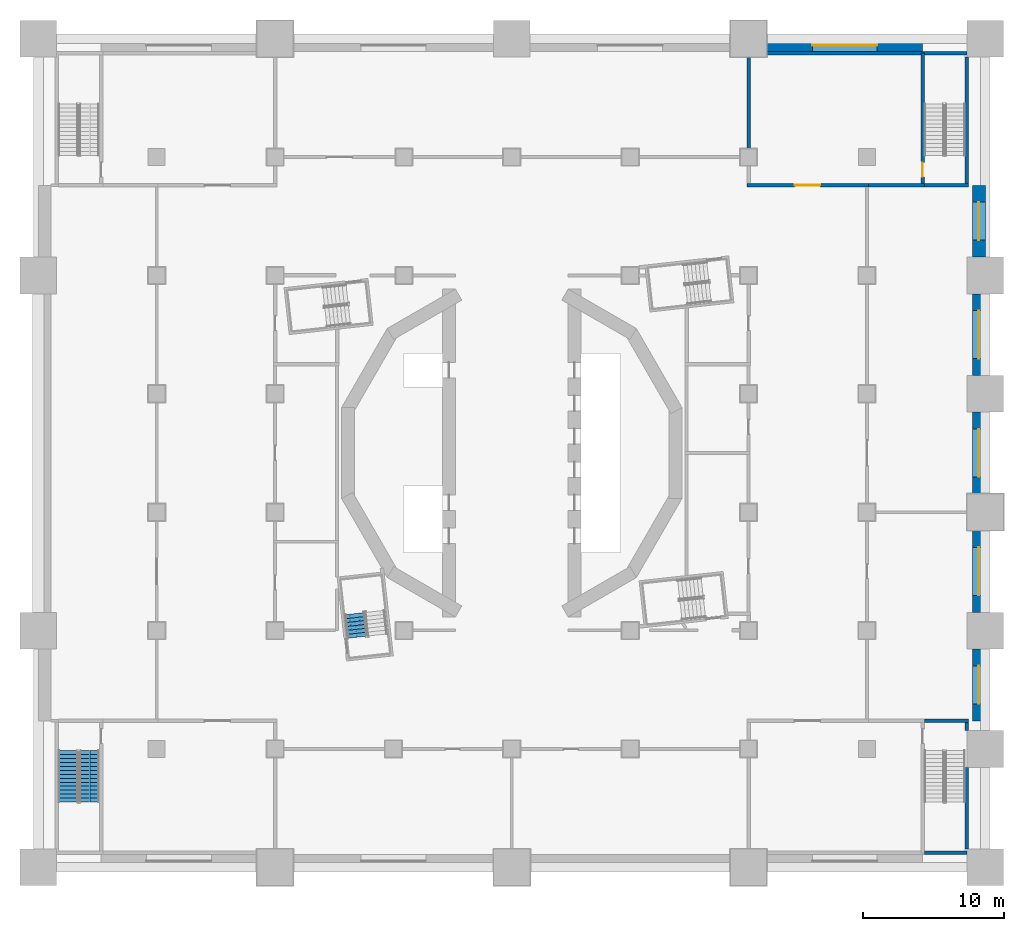
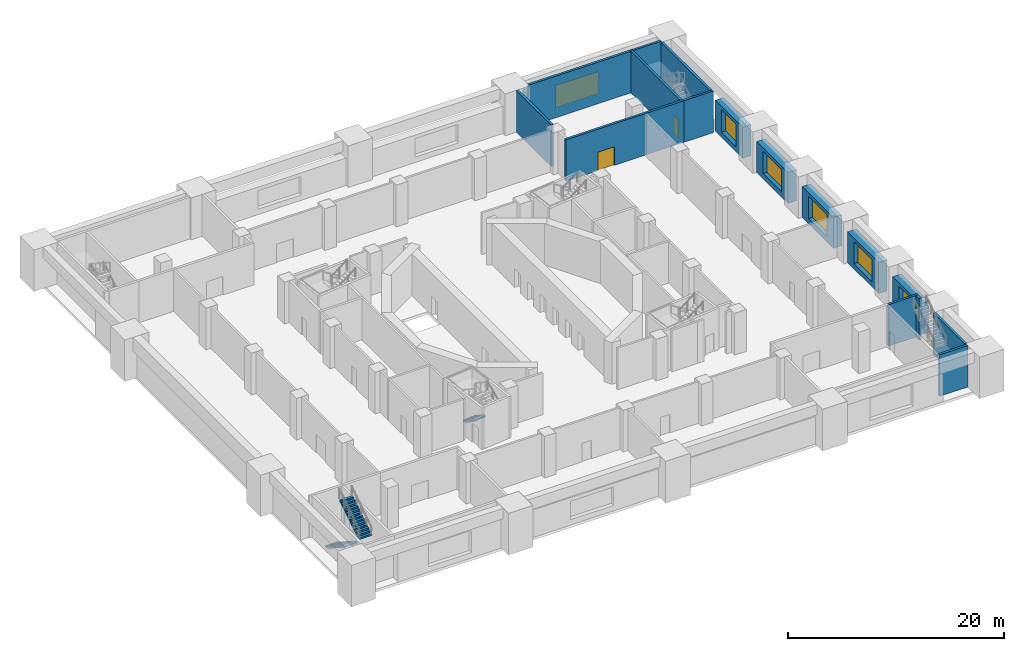
# One storey, part 5 of 17: 18 walls, 6 windows, 3 stair flights, 2 doors, 8 openings, 2 elements without a shape of their own.
"""IFC4 building model written with IfcOpenShell, lengths in metres."""

from ifc_helpers import new_model, si_unit, direction, frame, frame_2d, origin, place, context, subcontext, project, spatial, polyline, rectangle, outline, extrude, material, layer, layer_set, type_object, element, fill, aggregate, save


model = new_model("IFC4")

# Units and contexts
model_context = context("Model", 3, precision=1e-05, world=origin(), true_north=direction((0.0, 1.0)))
body_context = subcontext(model_context, "Body", "Model", "MODEL_VIEW")
ifc_project = project(units=[si_unit("LENGTHUNIT", "METRE"), si_unit("AREAUNIT", "SQUARE_METRE"), si_unit("VOLUMEUNIT", "CUBIC_METRE"), si_unit("PLANEANGLEUNIT", "RADIAN"), si_unit("MASSUNIT", "GRAM", prefix="KILO")], contexts=[model_context])

# Site, building, storey
site_placement = place(None, origin())
site = spatial("IfcSite", under=ifc_project, at=site_placement, CompositionType="ELEMENT")
building_placement = place(site_placement, origin())
building = spatial("IfcBuilding", under=site, at=building_placement, Name="Cantera Rosa Tower", CompositionType="ELEMENT")
storey_placement = place(building_placement, frame((0.0, 0.0, 27.0)))
storey = spatial("IfcBuildingStorey", under=building, at=storey_placement, Name="L04", CompositionType="ELEMENT", Elevation=27.0)

# Walls
ifc_material_1 = material(Name="Concrete C50/60", Category="concrete")
ifc_layer_1 = layer(ifc_material_1, 0.25)
ifc_layer_set_1 = layer_set([ifc_layer_1], Name="External stair wall 250")
wall_type_1 = type_object("IfcWallType", Name="External stair wall 250", PredefinedType="SOLIDWALL", material=ifc_layer_set_1)
for number, where, z_axis, x_axis, name in (
    (1, (29.27490234375, 28.375, 0.0), (0.0, 0.0, 1.0), (1.0, 0.0, 0.0), "Stair wall L04-51"),
    (2, (32.300048828125, -28.375, 0.0), (0.0, 0.0, 1.0), (-1.0, 0.0, 0.0), "Stair wall L04-75"),
):
    element("IfcWall", number, at=place(storey_placement, frame(where, z_axis=z_axis, x_axis=x_axis)), inside=storey, type_object=wall_type_1, Name=name, PredefinedType="SOLIDWALL", context=body_context, shape_type="SweptSolid", body=[
        extrude(rectangle(XDim=3.025146484375, YDim=0.25, at=frame_2d((1.5126953125, 0.0))), origin(), (0.0, 0.0, 1.0), 4.699951171875),
    ])
ifc_material_2 = material(Name="Masonry blockwork", Category="masonry")
ifc_layer_2 = layer(ifc_material_2, 0.25)
ifc_layer_set_2 = layer_set([ifc_layer_2], Name="Fire-rated external wall 250")
wall_type_2 = type_object("IfcWallType", Name="Fire-rated external wall 250", PredefinedType="PARTITIONING", material=ifc_layer_set_2)
wall_1_placement = place(storey_placement, frame((18.10009765625, 28.375, 0.0), z_axis=(0.0, 0.0, 1.0), x_axis=(1.0, 0.0, 0.0)))
element("IfcWall", 3, at=wall_1_placement, inside=storey, type_object=wall_type_2, Name="Fire wall L04-50", PredefinedType="PARTITIONING", context=body_context, shape_type="SweptSolid", body=[
    extrude(rectangle(XDim=11.1748046875, YDim=0.25, at=frame_2d((5.58740234375, 0.0))), origin(), (0.0, 0.0, 1.0), 4.699951171875),
])
ifc_material_3 = material(Name="Masonry blockwork", Category="masonry")
ifc_layer_3 = layer(ifc_material_3, 0.25)
ifc_layer_set_3 = layer_set([ifc_layer_3], Name="Fire-rated wall 250")
wall_type_3 = type_object("IfcWallType", Name="Fire-rated wall 250", PredefinedType="PARTITIONING", material=ifc_layer_set_3)
wall_2_placement = place(storey_placement, frame((16.800048828125, 21.60009765625, 0.0), z_axis=(0.0, 0.0, 1.0), x_axis=(0.0, 1.0, 0.0)))
element("IfcWall", 4, at=wall_2_placement, inside=storey, type_object=wall_type_3, Name="Fire wall L04-31", PredefinedType="PARTITIONING", context=body_context, shape_type="SweptSolid", body=[
    extrude(rectangle(XDim=6.5, YDim=0.25, at=frame_2d((3.25, 0.0))), origin(), (0.0, 0.0, 1.0), 4.699951171875),
])

# Wall, opening, door
wall_3_placement = place(storey_placement, frame((16.675048828125, 19.0, 0.0), z_axis=(0.0, 0.0, 1.0), x_axis=(1.0, 0.0, 0.0)))
wall_3 = element("IfcWall", 5, at=wall_3_placement, inside=storey, type_object=wall_type_3, Name="Fire wall L04-58", PredefinedType="PARTITIONING", context=body_context, shape_type="SweptSolid", body=[
    extrude(rectangle(XDim=8.625, YDim=0.25, at=frame_2d((4.3125, 0.0))), origin(), (0.0, 0.0, 1.0), 4.699951171875),
])
opening_1_placement = place(wall_3_placement, frame((3.41259765625, 0.0, 0.0)))
opening_1 = element("IfcOpeningElement", 6, at=opening_1_placement, cuts=wall_3, Name="Opening L04-013", PredefinedType="OPENING", context=body_context, shape_type="SweptSolid", body=[
    extrude(rectangle(XDim=1.800048828125, YDim=2.10009765625, at=frame_2d((0.89990234375, 1.050048828125))), frame((0.0, 0.135009765625, 0.0), z_axis=(0.0, -1.0, 0.0), x_axis=(1.0, 0.0, 0.0)), (0.0, 0.0, 1.0), 0.27001953125),
])
ifc_material_4 = material(Name="Steel S355J2 (EN 10025-2)", Category="steel")
door_type_1 = type_object("IfcDoorType", Name="Fire double door 1800x2100", OperationType="NOTDEFINED", PredefinedType="DOOR", material=ifc_material_4)
door_1_placement = place(opening_1_placement, origin())
door_1 = element("IfcDoor", 7, at=door_1_placement, inside=storey, type_object=door_type_1, Name="Door L04-013", OperationType="DOUBLE_DOOR_SINGLE_SWING", OverallHeight=2.10009765625, OverallWidth=1.800048828125, PredefinedType="DOOR", context=body_context, shape_type="SweptSolid", body=[
    extrude(rectangle(XDim=1.800048828125, YDim=2.10009765625, at=frame_2d((0.89990234375, 1.050048828125))), frame((0.0, 0.02490234375, 0.0), z_axis=(0.0, -1.0, 0.0), x_axis=(1.0, 0.0, 0.0)), (0.0, 0.0, 1.0), 0.050048828125),
])
fill(opening_1, door_1)

# Walls
wall_4_placement = place(storey_placement, frame((25.300048828125, 19.0, 0.0), z_axis=(0.0, 0.0, 1.0), x_axis=(1.0, 0.0, 0.0)))
element("IfcWall", 8, at=wall_4_placement, inside=storey, type_object=wall_type_3, Name="Fire wall L04-59", PredefinedType="PARTITIONING", context=body_context, shape_type="SweptSolid", body=[
    extrude(rectangle(XDim=3.974853515625, YDim=0.25, at=frame_2d((1.9873046875, 0.0))), origin(), (0.0, 0.0, 1.0), 4.699951171875),
])
ifc_material_5 = material(Name="Concrete C50/60", Category="concrete")
ifc_layer_4 = layer(ifc_material_5, 0.25)
ifc_layer_set_4 = layer_set([ifc_layer_4], Name="RC stair wall 250 C50/60")
wall_type_4 = type_object("IfcWallType", Name="RC stair wall 250", PredefinedType="SOLIDWALL", material=ifc_layer_set_4)
wall_5_placement = place(storey_placement, frame((32.300048828125, -28.10009765625, 0.0), z_axis=(0.0, 0.0, 1.0), x_axis=(0.0, 1.0, 0.0)))
element("IfcWall", 9, at=wall_5_placement, inside=storey, type_object=wall_type_4, Name="Stair wall L04-45", PredefinedType="SOLIDWALL", context=body_context, shape_type="SweptSolid", body=[
    extrude(rectangle(XDim=5.800048828125, YDim=0.25, at=frame_2d((2.89990234375, 0.0))), origin(), (0.0, 0.0, 1.0), 4.699951171875),
])
wall_6_placement = place(storey_placement, frame((32.300048828125, -19.699951171875, 0.0), z_axis=(0.0, 0.0, 1.0), x_axis=(0.0, 1.0, 0.0)))
element("IfcWall", 10, at=wall_6_placement, inside=storey, type_object=wall_type_4, Name="Stair wall L04-46", PredefinedType="SOLIDWALL", context=body_context, shape_type="SweptSolid", body=[
    extrude(rectangle(XDim=0.574951171875, YDim=0.25, at=frame_2d((0.28759765625, 0.0))), origin(), (0.0, 0.0, 1.0), 4.699951171875),
])
wall_7_placement = place(storey_placement, frame((32.300048828125, 19.125, 0.0), z_axis=(0.0, 0.0, 1.0), x_axis=(0.0, 1.0, 0.0)))
element("IfcWall", 11, at=wall_7_placement, inside=storey, type_object=wall_type_4, Name="Stair wall L04-47", PredefinedType="SOLIDWALL", context=body_context, shape_type="SweptSolid", body=[
    extrude(rectangle(XDim=8.97509765625, YDim=0.25, at=frame_2d((4.487548828125, 0.0))), origin(), (0.0, 0.0, 1.0), 4.699951171875),
])

# Wall, opening, door
wall_8_placement = place(storey_placement, frame((29.14990234375, 19.125, 0.0), z_axis=(0.0, 0.0, 1.0), x_axis=(0.0, 1.0, 0.0)))
wall_8 = element("IfcWall", 12, at=wall_8_placement, inside=storey, type_object=wall_type_4, Name="Stair wall L04-53", PredefinedType="SOLIDWALL", context=body_context, shape_type="SweptSolid", body=[
    extrude(rectangle(XDim=9.25, YDim=0.25, at=frame_2d((4.625, 0.0))), origin(), (0.0, 0.0, 1.0), 4.699951171875),
])
opening_2_placement = place(wall_8_placement, frame((0.47509765625, 0.0, 0.0)))
opening_2 = element("IfcOpeningElement", 13, at=opening_2_placement, cuts=wall_8, Name="Opening L04-014", PredefinedType="OPENING", context=body_context, shape_type="SweptSolid", body=[
    extrude(rectangle(XDim=1.0, YDim=2.10009765625, at=frame_2d((0.5, 1.050048828125))), frame((0.0, 0.135009765625, 0.0), z_axis=(0.0, -1.0, 0.0), x_axis=(1.0, 0.0, 0.0)), (0.0, 0.0, 1.0), 0.27001953125),
])
ifc_material_6 = material(Name="Steel S355J2 (EN 10025-2)", Category="steel")
door_type_2 = type_object("IfcDoorType", Name="Fire door 1000x2100 EI 120", OperationType="NOTDEFINED", PredefinedType="DOOR", material=ifc_material_6)
door_2_placement = place(opening_2_placement, origin())
door_2 = element("IfcDoor", 14, at=door_2_placement, inside=storey, type_object=door_type_2, Name="Door L04-014", OverallHeight=2.10009765625, OverallWidth=1.0, PredefinedType="DOOR", context=body_context, shape_type="SweptSolid", body=[
    extrude(rectangle(XDim=1.0, YDim=2.10009765625, at=frame_2d((0.5, 1.050048828125))), frame((0.0, 0.02490234375, 0.0), z_axis=(0.0, -1.0, 0.0), x_axis=(1.0, 0.0, 0.0)), (0.0, 0.0, 1.0), 0.050048828125),
])
fill(opening_2, door_2)

# Walls
for number, where, z_axis, x_axis, name in (
    (15, (29.27490234375, 19.0, 0.0), (0.0, 0.0, 1.0), (1.0, 0.0, 0.0), "Stair wall L04-60"),
    (16, (29.27490234375, -19.0, 0.0), (0.0, 0.0, 1.0), (1.0, 0.0, 0.0), "Stair wall L04-71"),
):
    element("IfcWall", number, at=place(storey_placement, frame(where, z_axis=z_axis, x_axis=x_axis)), inside=storey, type_object=wall_type_4, Name=name, PredefinedType="SOLIDWALL", context=body_context, shape_type="SweptSolid", body=[
        extrude(rectangle(XDim=3.150146484375, YDim=0.25, at=frame_2d((1.5751953125, 0.0))), origin(), (0.0, 0.0, 1.0), 4.699951171875),
    ])

# Wall, opening, window
ifc_material_7 = material(Name="Concrete C40/50 with limestone facing", Category="masonry")
ifc_layer_5 = layer(ifc_material_7, 0.89990234375)
ifc_layer_set_5 = layer_set([ifc_layer_5], Name="Stone podium wall 900")
wall_type_5 = type_object("IfcWallType", Name="Stone podium wall 900", PredefinedType="SOLIDWALL", material=ifc_layer_set_5)
wall_9_placement = place(storey_placement, frame((18.10009765625, 28.949951171875, 0.0), z_axis=(0.0, 0.0, 1.0), x_axis=(1.0, 0.0, 0.0)))
wall_9 = element("IfcWall", 17, at=wall_9_placement, inside=storey, type_object=wall_type_5, Name="Stone wall N L04-4", PredefinedType="SOLIDWALL", context=body_context, shape_type="SweptSolid", body=[
    extrude(rectangle(XDim=11.0498046875, YDim=0.89990234375, at=frame_2d((5.52490234375, 0.0))), origin(), (0.0, 0.0, 1.0), 3.5),
])
opening_3_placement = place(wall_9_placement, frame((3.22509765625, 0.0, 0.60009765625)))
opening_3 = element("IfcOpeningElement", 18, at=opening_3_placement, cuts=wall_9, Name="Opening L04-PWN4", PredefinedType="OPENING", context=body_context, shape_type="SweptSolid", body=[
    extrude(rectangle(XDim=4.60009765625, YDim=2.5, at=frame_2d((2.300048828125, 1.25))), frame((0.0, 0.4599609375, 0.0), z_axis=(0.0, -1.0, 0.0), x_axis=(1.0, 0.0, 0.0)), (0.0, 0.0, 1.0), 0.919921875),
])
ifc_material_8 = material(Name="Glass", Category="glass")
window_type_1 = type_object("IfcWindowType", Name="Podium window 4600x2500", PartitioningType="SINGLE_PANEL", PredefinedType="WINDOW", material=ifc_material_8)
window_1_placement = place(opening_3_placement, origin())
window_1 = element("IfcWindow", 19, at=window_1_placement, inside=storey, type_object=window_type_1, Name="Podium window L04-N4", OverallHeight=2.5, OverallWidth=4.60009765625, PartitioningType="SINGLE_PANEL", PredefinedType="WINDOW", context=body_context, shape_type="SweptSolid", body=[
    extrude(rectangle(XDim=4.60009765625, YDim=2.5, at=frame_2d((2.300048828125, 1.25))), frame((0.0, 0.030029296875, 0.0), z_axis=(0.0, -1.0, 0.0), x_axis=(1.0, 0.0, 0.0)), (0.0, 0.0, 1.0), 0.06005859375),
])
fill(opening_3, window_1)

wall_10_placement = place(storey_placement, frame((33.14990234375, -19.0, 0.0), z_axis=(0.0, 0.0, 1.0), x_axis=(0.0, 1.0, 0.0)))
wall_10 = element("IfcWall", 20, at=wall_10_placement, inside=storey, type_object=wall_type_5, Name="Stone wall E L04-1", PredefinedType="SOLIDWALL", context=body_context, shape_type="SweptSolid", body=[
    extrude(rectangle(XDim=5.10009765625, YDim=0.89990234375, at=frame_2d((2.550048828125, 0.0))), origin(), (0.0, 0.0, 1.0), 3.5),
])
opening_4_placement = place(wall_10_placement, frame((1.199951171875, 0.0, 0.60009765625)))
opening_4 = element("IfcOpeningElement", 21, at=opening_4_placement, cuts=wall_10, Name="Opening L04-PWE1", PredefinedType="OPENING", context=body_context, shape_type="SweptSolid", body=[
    extrude(rectangle(XDim=2.699951171875, YDim=2.5, at=frame_2d((1.35009765625, 1.25))), frame((0.0, 0.4599609375, 0.0), z_axis=(0.0, -1.0, 0.0), x_axis=(1.0, 0.0, 0.0)), (0.0, 0.0, 1.0), 0.919921875),
])
ifc_material_9 = material(Name="Glass", Category="glass")
window_type_2 = type_object("IfcWindowType", Name="Podium window 2700x2500", PartitioningType="SINGLE_PANEL", PredefinedType="WINDOW", material=ifc_material_9)
window_2_placement = place(opening_4_placement, origin())
window_2 = element("IfcWindow", 22, at=window_2_placement, inside=storey, type_object=window_type_2, Name="Podium window L04-E1", OverallHeight=2.5, OverallWidth=2.699951171875, PartitioningType="SINGLE_PANEL", PredefinedType="WINDOW", context=body_context, shape_type="SweptSolid", body=[
    extrude(rectangle(XDim=2.699951171875, YDim=2.5, at=frame_2d((1.35009765625, 1.25))), frame((0.0, 0.030029296875, 0.0), z_axis=(0.0, -1.0, 0.0), x_axis=(1.0, 0.0, 0.0)), (0.0, 0.0, 1.0), 0.06005859375),
])
fill(opening_4, window_2)

wall_11_placement = place(storey_placement, frame((33.14990234375, -11.300048828125, 0.0), z_axis=(0.0, 0.0, 1.0), x_axis=(0.0, 1.0, 0.0)))
wall_11 = element("IfcWall", 23, at=wall_11_placement, inside=storey, type_object=wall_type_5, Name="Stone wall E L04-2", PredefinedType="SOLIDWALL", context=body_context, shape_type="SweptSolid", body=[
    extrude(rectangle(XDim=5.800048828125, YDim=0.89990234375, at=frame_2d((2.89990234375, 0.0))), origin(), (0.0, 0.0, 1.0), 3.5),
])
opening_5_placement = place(wall_11_placement, frame((1.199951171875, 0.0, 0.60009765625)))
opening_5 = element("IfcOpeningElement", 24, at=opening_5_placement, cuts=wall_11, Name="Opening L04-PWE2", PredefinedType="OPENING", context=body_context, shape_type="SweptSolid", body=[
    extrude(rectangle(XDim=3.39990234375, YDim=2.5, at=frame_2d((1.699951171875, 1.25))), frame((0.0, 0.4599609375, 0.0), z_axis=(0.0, -1.0, 0.0), x_axis=(1.0, 0.0, 0.0)), (0.0, 0.0, 1.0), 0.919921875),
])
ifc_material_10 = material(Name="Glass", Category="glass")
window_type_3 = type_object("IfcWindowType", Name="Podium window 3400x2500", PartitioningType="SINGLE_PANEL", PredefinedType="WINDOW", material=ifc_material_10)
window_3_placement = place(opening_5_placement, origin())
window_3 = element("IfcWindow", 25, at=window_3_placement, inside=storey, type_object=window_type_3, Name="Podium window L04-E2", OverallHeight=2.5, OverallWidth=3.39990234375, PartitioningType="SINGLE_PANEL", PredefinedType="WINDOW", context=body_context, shape_type="SweptSolid", body=[
    extrude(rectangle(XDim=3.39990234375, YDim=2.5, at=frame_2d((1.699951171875, 1.25))), frame((0.0, 0.030029296875, 0.0), z_axis=(0.0, -1.0, 0.0), x_axis=(1.0, 0.0, 0.0)), (0.0, 0.0, 1.0), 0.06005859375),
])
fill(opening_5, window_3)

wall_12_placement = place(storey_placement, frame((33.14990234375, -2.89990234375, 0.0), z_axis=(0.0, 0.0, 1.0), x_axis=(0.0, 1.0, 0.0)))
wall_12 = element("IfcWall", 26, at=wall_12_placement, inside=storey, type_object=wall_type_5, Name="Stone wall E L04-3", PredefinedType="SOLIDWALL", context=body_context, shape_type="SweptSolid", body=[
    extrude(rectangle(XDim=5.7998046875, YDim=0.89990234375, at=frame_2d((2.89990234375, 0.0))), origin(), (0.0, 0.0, 1.0), 3.5),
])
opening_6_placement = place(wall_12_placement, frame((1.199951171875, 0.0, 0.60009765625)))
opening_6 = element("IfcOpeningElement", 27, at=opening_6_placement, cuts=wall_12, Name="Opening L04-PWE3", PredefinedType="OPENING", context=body_context, shape_type="SweptSolid", body=[
    extrude(rectangle(XDim=3.39990234375, YDim=2.5, at=frame_2d((1.699951171875, 1.25))), frame((0.0, 0.4599609375, 0.0), z_axis=(0.0, -1.0, 0.0), x_axis=(1.0, 0.0, 0.0)), (0.0, 0.0, 1.0), 0.919921875),
])
window_4_placement = place(opening_6_placement, origin())
window_4 = element("IfcWindow", 28, at=window_4_placement, inside=storey, type_object=window_type_3, Name="Podium window L04-E3", OverallHeight=2.5, OverallWidth=3.39990234375, PartitioningType="SINGLE_PANEL", PredefinedType="WINDOW", context=body_context, shape_type="SweptSolid", body=[
    extrude(rectangle(XDim=3.39990234375, YDim=2.5, at=frame_2d((1.699951171875, 1.25))), frame((0.0, 0.030029296875, 0.0), z_axis=(0.0, -1.0, 0.0), x_axis=(1.0, 0.0, 0.0)), (0.0, 0.0, 1.0), 0.06005859375),
])
fill(opening_6, window_4)

wall_13_placement = place(storey_placement, frame((33.14990234375, 5.5, 0.0), z_axis=(0.0, 0.0, 1.0), x_axis=(0.0, 1.0, 0.0)))
wall_13 = element("IfcWall", 29, at=wall_13_placement, inside=storey, type_object=wall_type_5, Name="Stone wall E L04-4", PredefinedType="SOLIDWALL", context=body_context, shape_type="SweptSolid", body=[
    extrude(rectangle(XDim=5.800048828125, YDim=0.89990234375, at=frame_2d((2.89990234375, 0.0))), origin(), (0.0, 0.0, 1.0), 3.5),
])
opening_7_placement = place(wall_13_placement, frame((1.199951171875, 0.0, 0.60009765625)))
opening_7 = element("IfcOpeningElement", 30, at=opening_7_placement, cuts=wall_13, Name="Opening L04-PWE4", PredefinedType="OPENING", context=body_context, shape_type="SweptSolid", body=[
    extrude(rectangle(XDim=3.39990234375, YDim=2.5, at=frame_2d((1.699951171875, 1.25))), frame((0.0, 0.4599609375, 0.0), z_axis=(0.0, -1.0, 0.0), x_axis=(1.0, 0.0, 0.0)), (0.0, 0.0, 1.0), 0.919921875),
])
window_5_placement = place(opening_7_placement, origin())
window_5 = element("IfcWindow", 31, at=window_5_placement, inside=storey, type_object=window_type_3, Name="Podium window L04-E4", OverallHeight=2.5, OverallWidth=3.39990234375, PartitioningType="SINGLE_PANEL", PredefinedType="WINDOW", context=body_context, shape_type="SweptSolid", body=[
    extrude(rectangle(XDim=3.39990234375, YDim=2.5, at=frame_2d((1.699951171875, 1.25))), frame((0.0, 0.030029296875, 0.0), z_axis=(0.0, -1.0, 0.0), x_axis=(1.0, 0.0, 0.0)), (0.0, 0.0, 1.0), 0.06005859375),
])
fill(opening_7, window_5)

wall_14_placement = place(storey_placement, frame((33.14990234375, 13.89990234375, 0.0), z_axis=(0.0, 0.0, 1.0), x_axis=(0.0, 1.0, 0.0)))
wall_14 = element("IfcWall", 32, at=wall_14_placement, inside=storey, type_object=wall_type_5, Name="Stone wall E L04-5", PredefinedType="SOLIDWALL", context=body_context, shape_type="SweptSolid", body=[
    extrude(rectangle(XDim=5.10009765625, YDim=0.89990234375, at=frame_2d((2.550048828125, 0.0))), origin(), (0.0, 0.0, 1.0), 3.5),
])
opening_8_placement = place(wall_14_placement, frame((1.199951171875, 0.0, 0.60009765625)))
opening_8 = element("IfcOpeningElement", 33, at=opening_8_placement, cuts=wall_14, Name="Opening L04-PWE5", PredefinedType="OPENING", context=body_context, shape_type="SweptSolid", body=[
    extrude(rectangle(XDim=2.699951171875, YDim=2.5, at=frame_2d((1.35009765625, 1.25))), frame((0.0, 0.4599609375, 0.0), z_axis=(0.0, -1.0, 0.0), x_axis=(1.0, 0.0, 0.0)), (0.0, 0.0, 1.0), 0.919921875),
])
window_6_placement = place(opening_8_placement, origin())
window_6 = element("IfcWindow", 34, at=window_6_placement, inside=storey, type_object=window_type_2, Name="Podium window L04-E5", OverallHeight=2.5, OverallWidth=2.699951171875, PartitioningType="SINGLE_PANEL", PredefinedType="WINDOW", context=body_context, shape_type="SweptSolid", body=[
    extrude(rectangle(XDim=2.699951171875, YDim=2.5, at=frame_2d((1.35009765625, 1.25))), frame((0.0, 0.030029296875, 0.0), z_axis=(0.0, -1.0, 0.0), x_axis=(1.0, 0.0, 0.0)), (0.0, 0.0, 1.0), 0.06005859375),
])
fill(opening_8, window_6)

# Stair, stair flight
ifc_material_11 = material(Name="Concrete C35/45", Category="concrete")
stair_type_1 = type_object("IfcStairType", Name="EXIT STAIR 1350 DOGLEG", PredefinedType="HALF_TURN_STAIR", material=ifc_material_11)
stair_1_placement = place(storey_placement, origin())
stair_1 = element("IfcStair", 35, at=stair_1_placement, inside=storey, type_object=stair_type_1, Name="L04 ST-13", PredefinedType="HALF_TURN_STAIR")
ifc_material_12 = material(Name="Concrete C35/45", Category="concrete")
stair_flight_type_1 = type_object("IfcStairFlightType", Name="STAIR FLIGHT 1350 R28x179", PredefinedType="STRAIGHT", material=ifc_material_12)
stair_flight_1_placement = place(storey_placement, frame((-11.17626953125, -11.404541015625, 1.25), z_axis=(0.0, 0.0, 1.0), x_axis=(0.110312549749, -0.993896947056, 0.0)))
stair_flight_1 = element("IfcStairFlight", 36, at=stair_flight_1_placement, type_object=stair_flight_type_1, Name="ST-13 flight 2", NumberOfRisers=7, NumberOfTreads=6, PredefinedType="STRAIGHT", RiserHeight=0.178571429, TreadLength=0.28, context=body_context, shape_type="SweptSolid", body=[
    extrude(outline(polyline([(0.0, 0.0), (0.0, 0.178466796875), (0.280029296875, 0.178466796875), (0.280029296875, 0.357177734375), (0.56005859375, 0.357177734375), (0.56005859375, 0.53564453125), (0.840087890625, 0.53564453125), (0.840087890625, 0.71435546875), (1.1201171875, 0.71435546875), (1.1201171875, 0.892822265625), (1.39990234375, 0.892822265625), (1.39990234375, 1.071533203125), (1.679931640625, 1.071533203125), (1.679931640625, 1.25), (1.679931640625, 0.8935546875), (0.27880859375, 0.0), (0.0, 0.0)])), frame((0.0, 0.675048828125, 0.0), z_axis=(0.0, -1.0, 0.0), x_axis=(1.0, 0.0, 0.0)), (0.0, 0.0, 1.0), 0.3359375),
    extrude(outline(polyline([(0.0, 0.0), (0.0, 0.178466796875), (0.280029296875, 0.178466796875), (0.280029296875, 0.357177734375), (0.56005859375, 0.357177734375), (0.56005859375, 0.53564453125), (0.840087890625, 0.53564453125), (0.840087890625, 0.71435546875), (1.1201171875, 0.71435546875), (1.1201171875, 0.892822265625), (1.39990234375, 0.892822265625), (1.39990234375, 1.071533203125), (1.679931640625, 1.071533203125), (1.679931640625, 1.25), (1.679931640625, 0.8935546875), (0.27880859375, 0.0), (0.0, 0.0)])), frame((0.0, 0.337158203125, 0.0), z_axis=(0.0, -1.0, 0.0), x_axis=(1.0, 0.0, 0.0)), (0.0, 0.0, 1.0), 0.3359375),
    extrude(outline(polyline([(0.0, 0.0), (0.0, 0.178466796875), (0.280029296875, 0.178466796875), (0.280029296875, 0.357177734375), (0.56005859375, 0.357177734375), (0.56005859375, 0.53564453125), (0.840087890625, 0.53564453125), (0.840087890625, 0.71435546875), (1.1201171875, 0.71435546875), (1.1201171875, 0.892822265625), (1.39990234375, 0.892822265625), (1.39990234375, 1.071533203125), (1.679931640625, 1.071533203125), (1.679931640625, 1.25), (1.679931640625, 0.8935546875), (0.27880859375, 0.0), (0.0, 0.0)])), frame((0.0, -0.000732421875, 0.0), z_axis=(0.0, -1.0, 0.0), x_axis=(1.0, 0.0, 0.0)), (0.0, 0.0, 1.0), 0.3359375),
    extrude(outline(polyline([(0.0, 0.0), (0.0, 0.178466796875), (0.280029296875, 0.178466796875), (0.280029296875, 0.357177734375), (0.56005859375, 0.357177734375), (0.56005859375, 0.53564453125), (0.840087890625, 0.53564453125), (0.840087890625, 0.71435546875), (1.1201171875, 0.71435546875), (1.1201171875, 0.892822265625), (1.39990234375, 0.892822265625), (1.39990234375, 1.071533203125), (1.679931640625, 1.071533203125), (1.679931640625, 1.25), (1.679931640625, 0.8935546875), (0.27880859375, 0.0), (0.0, 0.0)])), frame((0.0, -0.338623046875, 0.0), z_axis=(0.0, -1.0, 0.0), x_axis=(1.0, 0.0, 0.0)), (0.0, 0.0, 1.0), 0.3359375),
])
aggregate(stair_1, [stair_flight_1])

# Stair, stair flights
ifc_material_13 = material(Name="Concrete C35/45", Category="concrete")
stair_type_2 = type_object("IfcStairType", Name="Stair half-turn 1350", PredefinedType="HALF_TURN_STAIR", material=ifc_material_13)
stair_2_placement = place(storey_placement, origin())
stair_2 = element("IfcStair", 37, at=stair_2_placement, inside=storey, type_object=stair_type_2, Name="L04 ST-SW", PredefinedType="HALF_TURN_STAIR")
ifc_material_14 = material(Name="Concrete C35/45", Category="concrete")
stair_flight_type_2 = type_object("IfcStairFlightType", Name="Stair flight 1350", PredefinedType="STRAIGHT", material=ifc_material_14)
stair_flight_2_placement = place(storey_placement, frame((-31.5, -21.125, 0.0), z_axis=(0.0, 0.0, 1.0), x_axis=(0.0, -1.0, 0.0)))
stair_flight_2 = element("IfcStairFlight", 38, at=stair_flight_2_placement, type_object=stair_flight_type_2, Name="ST-SW flight 1", NumberOfRisers=14, NumberOfTreads=13, PredefinedType="STRAIGHT", RiserHeight=0.178571429, TreadLength=0.28, context=body_context, shape_type="SweptSolid", body=[
    extrude(outline(polyline([(0.0, 0.0), (0.0, 0.178466796875), (0.280029296875, 0.178466796875), (0.280029296875, 0.357177734375), (0.56005859375, 0.357177734375), (0.56005859375, 0.53564453125), (0.840087890625, 0.53564453125), (0.840087890625, 0.71435546875), (1.1201171875, 0.71435546875), (1.1201171875, 0.892822265625), (1.39990234375, 0.892822265625), (1.39990234375, 1.071533203125), (1.679931640625, 1.071533203125), (1.679931640625, 1.25), (1.9599609375, 1.25), (1.9599609375, 1.428466796875), (2.239990234375, 1.428466796875), (2.239990234375, 1.607177734375), (2.52001953125, 1.607177734375), (2.52001953125, 1.78564453125), (2.800048828125, 1.78564453125), (2.800048828125, 1.96435546875), (3.080078125, 1.96435546875), (3.080078125, 2.142822265625), (3.360107421875, 2.142822265625), (3.360107421875, 2.321533203125), (3.639892578125, 2.321533203125), (3.639892578125, 2.5), (3.639892578125, 2.1435546875), (0.27880859375, 0.0), (0.0, 0.0)])), frame((0.0, 0.675048828125, 0.0), z_axis=(0.0, -1.0, 0.0), x_axis=(1.0, 0.0, 0.0)), (0.0, 0.0, 1.0), 0.3359375),
    extrude(outline(polyline([(0.0, 0.0), (0.0, 0.178466796875), (0.280029296875, 0.178466796875), (0.280029296875, 0.357177734375), (0.56005859375, 0.357177734375), (0.56005859375, 0.53564453125), (0.840087890625, 0.53564453125), (0.840087890625, 0.71435546875), (1.1201171875, 0.71435546875), (1.1201171875, 0.892822265625), (1.39990234375, 0.892822265625), (1.39990234375, 1.071533203125), (1.679931640625, 1.071533203125), (1.679931640625, 1.25), (1.9599609375, 1.25), (1.9599609375, 1.428466796875), (2.239990234375, 1.428466796875), (2.239990234375, 1.607177734375), (2.52001953125, 1.607177734375), (2.52001953125, 1.78564453125), (2.800048828125, 1.78564453125), (2.800048828125, 1.96435546875), (3.080078125, 1.96435546875), (3.080078125, 2.142822265625), (3.360107421875, 2.142822265625), (3.360107421875, 2.321533203125), (3.639892578125, 2.321533203125), (3.639892578125, 2.5), (3.639892578125, 2.1435546875), (0.27880859375, 0.0), (0.0, 0.0)])), frame((0.0, 0.337158203125, 0.0), z_axis=(0.0, -1.0, 0.0), x_axis=(1.0, 0.0, 0.0)), (0.0, 0.0, 1.0), 0.3359375),
    extrude(outline(polyline([(0.0, 0.0), (0.0, 0.178466796875), (0.280029296875, 0.178466796875), (0.280029296875, 0.357177734375), (0.56005859375, 0.357177734375), (0.56005859375, 0.53564453125), (0.840087890625, 0.53564453125), (0.840087890625, 0.71435546875), (1.1201171875, 0.71435546875), (1.1201171875, 0.892822265625), (1.39990234375, 0.892822265625), (1.39990234375, 1.071533203125), (1.679931640625, 1.071533203125), (1.679931640625, 1.25), (1.9599609375, 1.25), (1.9599609375, 1.428466796875), (2.239990234375, 1.428466796875), (2.239990234375, 1.607177734375), (2.52001953125, 1.607177734375), (2.52001953125, 1.78564453125), (2.800048828125, 1.78564453125), (2.800048828125, 1.96435546875), (3.080078125, 1.96435546875), (3.080078125, 2.142822265625), (3.360107421875, 2.142822265625), (3.360107421875, 2.321533203125), (3.639892578125, 2.321533203125), (3.639892578125, 2.5), (3.639892578125, 2.1435546875), (0.27880859375, 0.0), (0.0, 0.0)])), frame((0.0, -0.000732421875, 0.0), z_axis=(0.0, -1.0, 0.0), x_axis=(1.0, 0.0, 0.0)), (0.0, 0.0, 1.0), 0.3359375),
    extrude(outline(polyline([(0.0, 0.0), (0.0, 0.178466796875), (0.280029296875, 0.178466796875), (0.280029296875, 0.357177734375), (0.56005859375, 0.357177734375), (0.56005859375, 0.53564453125), (0.840087890625, 0.53564453125), (0.840087890625, 0.71435546875), (1.1201171875, 0.71435546875), (1.1201171875, 0.892822265625), (1.39990234375, 0.892822265625), (1.39990234375, 1.071533203125), (1.679931640625, 1.071533203125), (1.679931640625, 1.25), (1.9599609375, 1.25), (1.9599609375, 1.428466796875), (2.239990234375, 1.428466796875), (2.239990234375, 1.607177734375), (2.52001953125, 1.607177734375), (2.52001953125, 1.78564453125), (2.800048828125, 1.78564453125), (2.800048828125, 1.96435546875), (3.080078125, 1.96435546875), (3.080078125, 2.142822265625), (3.360107421875, 2.142822265625), (3.360107421875, 2.321533203125), (3.639892578125, 2.321533203125), (3.639892578125, 2.5), (3.639892578125, 2.1435546875), (0.27880859375, 0.0), (0.0, 0.0)])), frame((0.0, -0.338623046875, 0.0), z_axis=(0.0, -1.0, 0.0), x_axis=(1.0, 0.0, 0.0)), (0.0, 0.0, 1.0), 0.3359375),
])
stair_flight_3_placement = place(storey_placement, frame((-29.949951171875, -24.764892578125, 2.5), z_axis=(0.0, 0.0, 1.0), x_axis=(0.0, 1.0, 0.0)))
stair_flight_3 = element("IfcStairFlight", 39, at=stair_flight_3_placement, type_object=stair_flight_type_2, Name="ST-SW flight 2", NumberOfRisers=14, NumberOfTreads=13, PredefinedType="STRAIGHT", RiserHeight=0.178571429, TreadLength=0.28, context=body_context, shape_type="SweptSolid", body=[
    extrude(outline(polyline([(0.0, 0.0), (0.0, 0.178466796875), (0.280029296875, 0.178466796875), (0.280029296875, 0.357177734375), (0.56005859375, 0.357177734375), (0.56005859375, 0.53564453125), (0.840087890625, 0.53564453125), (0.840087890625, 0.71435546875), (1.1201171875, 0.71435546875), (1.1201171875, 0.892822265625), (1.39990234375, 0.892822265625), (1.39990234375, 1.071533203125), (1.679931640625, 1.071533203125), (1.679931640625, 1.25), (1.9599609375, 1.25), (1.9599609375, 1.428466796875), (2.239990234375, 1.428466796875), (2.239990234375, 1.607177734375), (2.52001953125, 1.607177734375), (2.52001953125, 1.78564453125), (2.800048828125, 1.78564453125), (2.800048828125, 1.96435546875), (3.080078125, 1.96435546875), (3.080078125, 2.142822265625), (3.360107421875, 2.142822265625), (3.360107421875, 2.321533203125), (3.639892578125, 2.321533203125), (3.639892578125, 2.5), (3.639892578125, 2.1435546875), (0.27880859375, 0.0), (0.0, 0.0)])), frame((0.0, 0.675048828125, 0.0), z_axis=(0.0, -1.0, 0.0), x_axis=(1.0, 0.0, 0.0)), (0.0, 0.0, 1.0), 0.3359375),
    extrude(outline(polyline([(0.0, 0.0), (0.0, 0.178466796875), (0.280029296875, 0.178466796875), (0.280029296875, 0.357177734375), (0.56005859375, 0.357177734375), (0.56005859375, 0.53564453125), (0.840087890625, 0.53564453125), (0.840087890625, 0.71435546875), (1.1201171875, 0.71435546875), (1.1201171875, 0.892822265625), (1.39990234375, 0.892822265625), (1.39990234375, 1.071533203125), (1.679931640625, 1.071533203125), (1.679931640625, 1.25), (1.9599609375, 1.25), (1.9599609375, 1.428466796875), (2.239990234375, 1.428466796875), (2.239990234375, 1.607177734375), (2.52001953125, 1.607177734375), (2.52001953125, 1.78564453125), (2.800048828125, 1.78564453125), (2.800048828125, 1.96435546875), (3.080078125, 1.96435546875), (3.080078125, 2.142822265625), (3.360107421875, 2.142822265625), (3.360107421875, 2.321533203125), (3.639892578125, 2.321533203125), (3.639892578125, 2.5), (3.639892578125, 2.1435546875), (0.27880859375, 0.0), (0.0, 0.0)])), frame((0.0, 0.337158203125, 0.0), z_axis=(0.0, -1.0, 0.0), x_axis=(1.0, 0.0, 0.0)), (0.0, 0.0, 1.0), 0.3359375),
    extrude(outline(polyline([(0.0, 0.0), (0.0, 0.178466796875), (0.280029296875, 0.178466796875), (0.280029296875, 0.357177734375), (0.56005859375, 0.357177734375), (0.56005859375, 0.53564453125), (0.840087890625, 0.53564453125), (0.840087890625, 0.71435546875), (1.1201171875, 0.71435546875), (1.1201171875, 0.892822265625), (1.39990234375, 0.892822265625), (1.39990234375, 1.071533203125), (1.679931640625, 1.071533203125), (1.679931640625, 1.25), (1.9599609375, 1.25), (1.9599609375, 1.428466796875), (2.239990234375, 1.428466796875), (2.239990234375, 1.607177734375), (2.52001953125, 1.607177734375), (2.52001953125, 1.78564453125), (2.800048828125, 1.78564453125), (2.800048828125, 1.96435546875), (3.080078125, 1.96435546875), (3.080078125, 2.142822265625), (3.360107421875, 2.142822265625), (3.360107421875, 2.321533203125), (3.639892578125, 2.321533203125), (3.639892578125, 2.5), (3.639892578125, 2.1435546875), (0.27880859375, 0.0), (0.0, 0.0)])), frame((0.0, -0.000732421875, 0.0), z_axis=(0.0, -1.0, 0.0), x_axis=(1.0, 0.0, 0.0)), (0.0, 0.0, 1.0), 0.3359375),
    extrude(outline(polyline([(0.0, 0.0), (0.0, 0.178466796875), (0.280029296875, 0.178466796875), (0.280029296875, 0.357177734375), (0.56005859375, 0.357177734375), (0.56005859375, 0.53564453125), (0.840087890625, 0.53564453125), (0.840087890625, 0.71435546875), (1.1201171875, 0.71435546875), (1.1201171875, 0.892822265625), (1.39990234375, 0.892822265625), (1.39990234375, 1.071533203125), (1.679931640625, 1.071533203125), (1.679931640625, 1.25), (1.9599609375, 1.25), (1.9599609375, 1.428466796875), (2.239990234375, 1.428466796875), (2.239990234375, 1.607177734375), (2.52001953125, 1.607177734375), (2.52001953125, 1.78564453125), (2.800048828125, 1.78564453125), (2.800048828125, 1.96435546875), (3.080078125, 1.96435546875), (3.080078125, 2.142822265625), (3.360107421875, 2.142822265625), (3.360107421875, 2.321533203125), (3.639892578125, 2.321533203125), (3.639892578125, 2.5), (3.639892578125, 2.1435546875), (0.27880859375, 0.0), (0.0, 0.0)])), frame((0.0, -0.338623046875, 0.0), z_axis=(0.0, -1.0, 0.0), x_axis=(1.0, 0.0, 0.0)), (0.0, 0.0, 1.0), 0.3359375),
])
aggregate(stair_2, [stair_flight_2, stair_flight_3])

save(model, "model.ifc")
